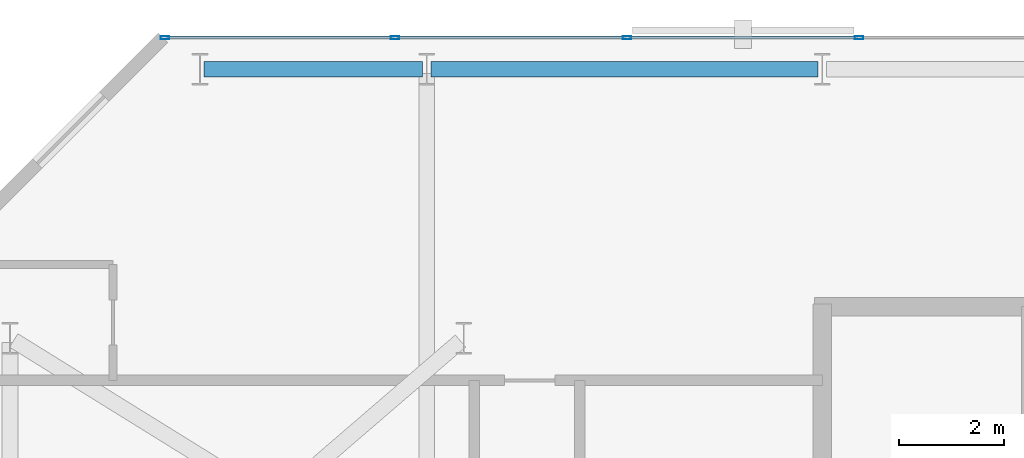
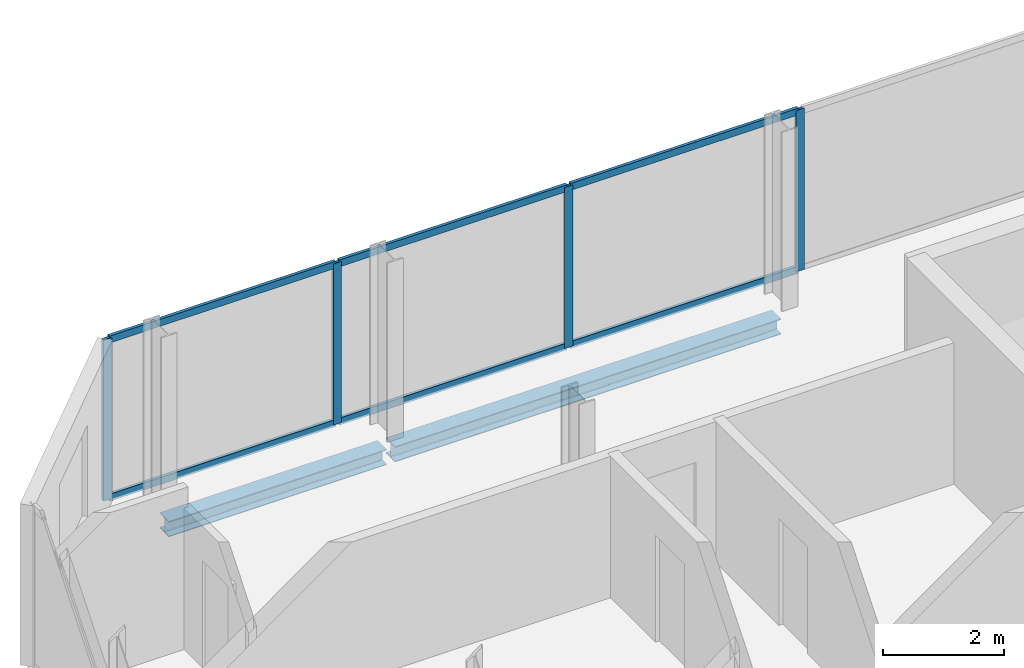
# One storey, part 19 of 32: 10 members, 2 beams, 1 element without a shape of its own.
"""IFC4 building model written with IfcOpenShell, lengths in metres."""

from ifc_helpers import new_model, si_unit, direction, frame, origin, origin_2d, place, context, subcontext, project, spatial, hollow_rectangle, i_section, extrude, material, layer, layer_set, material_profile, profile_set, type_object, element, aggregate, save


model = new_model("IFC4")

# Units and contexts
model_context = context("Model", 3, precision=1e-05, world=origin(), true_north=direction((0.0, 1.0)))
body_context = subcontext(model_context, "Body", "Model", "MODEL_VIEW")
ifc_project = project(units=[si_unit("LENGTHUNIT", "METRE"), si_unit("AREAUNIT", "SQUARE_METRE"), si_unit("VOLUMEUNIT", "CUBIC_METRE"), si_unit("PLANEANGLEUNIT", "RADIAN"), si_unit("MASSUNIT", "GRAM", prefix="KILO")], contexts=[model_context])

# Site, building, storey
site_placement = place(None, origin())
site = spatial("IfcSite", under=ifc_project, at=site_placement, CompositionType="ELEMENT")
building_placement = place(site_placement, origin())
building = spatial("IfcBuilding", under=site, at=building_placement, Name="Catumbela Crestline Tower", CompositionType="ELEMENT")
storey_placement = place(building_placement, frame((0.0, 0.0, 140.4)))
storey = spatial("IfcBuildingStorey", under=building, at=storey_placement, Name="L36", CompositionType="ELEMENT", Elevation=140.4)

# Curtain wall, members
ifc_material_1 = material(Name="Aluminium alloy AW-6060-T66", Category="aluminium")
ifc_layer = layer(ifc_material_1, 0.18, Name="Aluminium alloy AW-6060-T66")
ifc_layer_set = layer_set([ifc_layer], Name="Aluminium alloy AW-6060-T66")
curtain_wall_type = type_object("IfcCurtainWallType", Name="CWU-Z2", PredefinedType="USERDEFINED", material=ifc_layer_set)
curtain_wall_placement = place(storey_placement, origin())
curtain_wall = element("IfcCurtainWall", 1, at=curtain_wall_placement, inside=storey, type_object=curtain_wall_type, Name="L36 Unitised Curtain Wall CW-L36-E7S1", ObjectType="UNITISED", PredefinedType="USERDEFINED")
ifc_material_profile_1 = material_profile(ifc_material_1, hollow_rectangle(XDim=0.06, YDim=0.16, WallThickness=0.004, at=origin_2d()), Name="ALU 160x60x4")
ifc_profile_set_1 = profile_set([ifc_material_profile_1], Name="Aluminium alloy AW-6060-T66")
member_type_1 = type_object("IfcMemberType", Name="MUL-160X60", PredefinedType="MULLION", material=ifc_profile_set_1)
member_1_placement = place(storey_placement, frame((16.7, 48.0, 0.0), z_axis=(0.0, 0.0, 1.0), x_axis=(0.0, -1.0, 0.0)))
member_1 = element("IfcMember", 2, at=member_1_placement, type_object=member_type_1, Name="CWU-Z2 mullion 8", PredefinedType="MULLION", context=body_context, shape_type="SweptSolid", body=[
    extrude(hollow_rectangle(XDim=0.06, YDim=0.16, WallThickness=0.004, at=origin_2d()), origin(), (0.0, 0.0, 1.0), 3.24),
])
member_2_placement = place(storey_placement, frame((12.3, 48.0, 0.0), z_axis=(0.0, 0.0, 1.0), x_axis=(0.0, -1.0, 0.0)))
member_2 = element("IfcMember", 3, at=member_2_placement, type_object=member_type_1, Name="CWU-Z2 mullion 9", PredefinedType="MULLION", context=body_context, shape_type="SweptSolid", body=[
    extrude(hollow_rectangle(XDim=0.06, YDim=0.16, WallThickness=0.004, at=origin_2d()), origin(), (0.0, 0.0, 1.0), 3.24),
])
member_3_placement = place(storey_placement, frame((7.9, 48.0, 0.0), z_axis=(0.0, 0.0, 1.0), x_axis=(0.0, -1.0, 0.0)))
member_3 = element("IfcMember", 4, at=member_3_placement, type_object=member_type_1, Name="CWU-Z2 mullion 10", PredefinedType="MULLION", context=body_context, shape_type="SweptSolid", body=[
    extrude(hollow_rectangle(XDim=0.06, YDim=0.16, WallThickness=0.004, at=origin_2d()), origin(), (0.0, 0.0, 1.0), 3.24),
])
member_4_placement = place(storey_placement, frame((3.5325, 48.0, 0.0), z_axis=(0.0, 0.0, 1.0), x_axis=(0.0, -1.0, 0.0)))
member_4 = element("IfcMember", 5, at=member_4_placement, type_object=member_type_1, Name="CWU-Z2 mullion 11", PredefinedType="MULLION", context=body_context, shape_type="SweptSolid", body=[
    extrude(hollow_rectangle(XDim=0.06, YDim=0.16, WallThickness=0.004, at=origin_2d()), origin(), (0.0, 0.0, 1.0), 3.24),
])

# Beams
ifc_material_2 = material(Name="Structural steel S355J2", Category="steel")
ifc_material_profile_2 = material_profile(ifc_material_2, i_section(OverallWidth=0.3, OverallDepth=0.31, WebThickness=0.009, FlangeThickness=0.0155, FilletRadius=0.027, at=origin_2d()), Name="HEA 320")
ifc_profile_set_2 = profile_set([ifc_material_profile_2], Name="Structural steel S355J2")
beam_type = type_object("IfcBeamType", Name="BS-HEA320", PredefinedType="SPANDREL", material=ifc_profile_set_2)
beam_1_placement = place(storey_placement, frame((4.28, 47.4, -0.415), z_axis=(1.0, 0.0, 0.0), x_axis=(0.0, 1.0, 0.0)))
element("IfcBeam", 6, at=beam_1_placement, inside=storey, type_object=beam_type, Name="L36 Spandrel SP-L36-NF17", PredefinedType="SPANDREL", context=body_context, shape_type="SweptSolid", body=[
    extrude(i_section(OverallWidth=0.3, OverallDepth=0.31, WebThickness=0.009, FlangeThickness=0.0155, FilletRadius=0.027, at=origin_2d()), origin(), (0.0, 0.0, 1.0), 4.14),
])
beam_2_placement = place(storey_placement, frame((8.58, 47.4, -0.415), z_axis=(1.0, 0.0, 0.0), x_axis=(0.0, 1.0, 0.0)))
element("IfcBeam", 7, at=beam_2_placement, inside=storey, type_object=beam_type, Name="L36 Spandrel SP-L36-NF18", PredefinedType="SPANDREL", context=body_context, shape_type="SweptSolid", body=[
    extrude(i_section(OverallWidth=0.3, OverallDepth=0.31, WebThickness=0.009, FlangeThickness=0.0155, FilletRadius=0.027, at=origin_2d()), origin(), (0.0, 0.0, 1.0), 7.34),
])

# Member
ifc_material_profile_3 = material_profile(ifc_material_1, hollow_rectangle(XDim=0.06, YDim=0.14, WallThickness=0.004, at=origin_2d()), Name="ALU 140x60x4")
ifc_profile_set_3 = profile_set([ifc_material_profile_3], Name="Aluminium alloy AW-6060-T66")
member_type_2 = type_object("IfcMemberType", Name="TRN-140X60", PredefinedType="USERDEFINED", material=ifc_profile_set_3)
member_5_placement = place(storey_placement, frame((16.6675, 48.0, 0.03), z_axis=(-1.0, 0.0, 0.0), x_axis=(0.0, -1.0, 0.0)))
member_5 = element("IfcMember", 8, at=member_5_placement, type_object=member_type_2, Name="CWU-Z2 transom 8.1", ObjectType="TRANSOM", PredefinedType="USERDEFINED", context=body_context, shape_type="SweptSolid", body=[
    extrude(hollow_rectangle(XDim=0.06, YDim=0.14, WallThickness=0.004, at=origin_2d()), origin(), (0.0, 0.0, 1.0), 4.335),
])

member_6_placement = place(storey_placement, frame((16.6675, 48.0, 3.21), z_axis=(-1.0, 0.0, 0.0), x_axis=(0.0, -1.0, 0.0)))
member_6 = element("IfcMember", 9, at=member_6_placement, type_object=member_type_2, Name="CWU-Z2 transom 8.2", ObjectType="TRANSOM", PredefinedType="USERDEFINED", context=body_context, shape_type="SweptSolid", body=[
    extrude(hollow_rectangle(XDim=0.06, YDim=0.14, WallThickness=0.004, at=origin_2d()), origin(), (0.0, 0.0, 1.0), 4.335),
])

member_7_placement = place(storey_placement, frame((12.2675, 48.0, 0.03), z_axis=(-1.0, 0.0, 0.0), x_axis=(0.0, -1.0, 0.0)))
member_7 = element("IfcMember", 10, at=member_7_placement, type_object=member_type_2, Name="CWU-Z2 transom 9.1", ObjectType="TRANSOM", PredefinedType="USERDEFINED", context=body_context, shape_type="SweptSolid", body=[
    extrude(hollow_rectangle(XDim=0.06, YDim=0.14, WallThickness=0.004, at=origin_2d()), origin(), (0.0, 0.0, 1.0), 4.335),
])

member_8_placement = place(storey_placement, frame((12.2675, 48.0, 3.21), z_axis=(-1.0, 0.0, 0.0), x_axis=(0.0, -1.0, 0.0)))
member_8 = element("IfcMember", 11, at=member_8_placement, type_object=member_type_2, Name="CWU-Z2 transom 9.2", ObjectType="TRANSOM", PredefinedType="USERDEFINED", context=body_context, shape_type="SweptSolid", body=[
    extrude(hollow_rectangle(XDim=0.06, YDim=0.14, WallThickness=0.004, at=origin_2d()), origin(), (0.0, 0.0, 1.0), 4.335),
])

member_9_placement = place(storey_placement, frame((7.8675, 48.0, 0.03), z_axis=(-1.0, 0.0, 0.0), x_axis=(0.0, -1.0, 0.0)))
member_9 = element("IfcMember", 12, at=member_9_placement, type_object=member_type_2, Name="CWU-Z2 transom 10.1", ObjectType="TRANSOM", PredefinedType="USERDEFINED", context=body_context, shape_type="SweptSolid", body=[
    extrude(hollow_rectangle(XDim=0.06, YDim=0.14, WallThickness=0.004, at=origin_2d()), origin(), (0.0, 0.0, 1.0), 4.3025),
])

member_10_placement = place(storey_placement, frame((7.8675, 48.0, 3.21), z_axis=(-1.0, 0.0, 0.0), x_axis=(0.0, -1.0, 0.0)))
member_10 = element("IfcMember", 13, at=member_10_placement, type_object=member_type_2, Name="CWU-Z2 transom 10.2", ObjectType="TRANSOM", PredefinedType="USERDEFINED", context=body_context, shape_type="SweptSolid", body=[
    extrude(hollow_rectangle(XDim=0.06, YDim=0.14, WallThickness=0.004, at=origin_2d()), origin(), (0.0, 0.0, 1.0), 4.3025),
])

aggregate(curtain_wall, [member_1, member_2, member_3, member_4, member_5, member_6, member_7, member_8, member_9, member_10])

save(model, "model.ifc")
